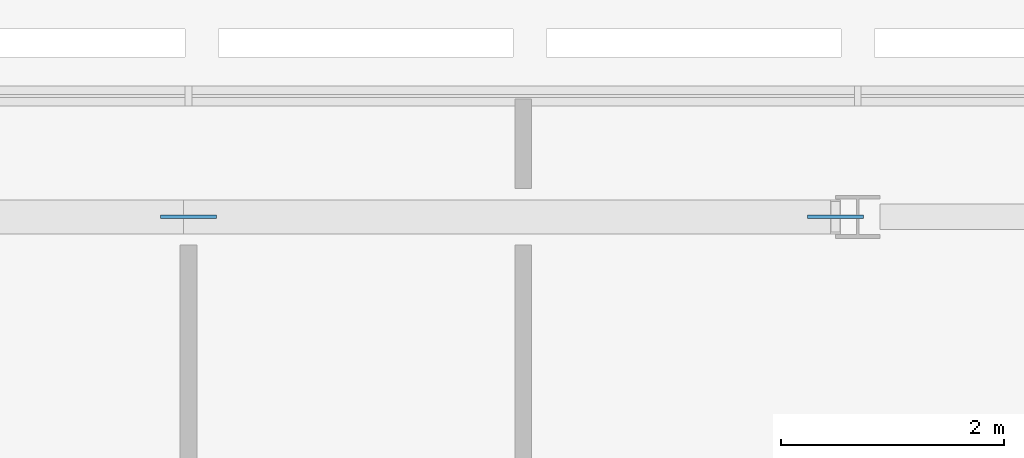
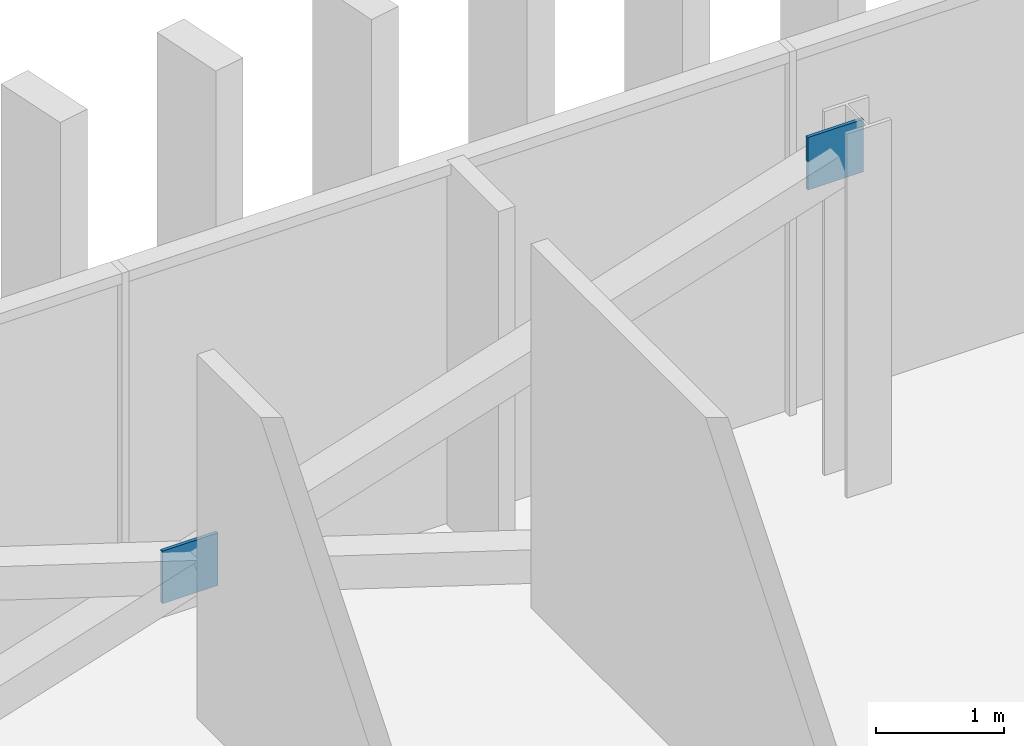
# One storey, part 24 of 32: 2 discrete accessories.
"""IFC4 building model written with IfcOpenShell, lengths in metres."""

import ifcopenshell
import ifcopenshell.guid

model = None  # the IFC model being written
_history = None  # IfcOwnerHistory: only IFC2X3 demands one
_inside = {}  # id of a spatial element -> (the spatial element, [elements in it])
_under = {}  # id of a project, library or spatial element -> (it, [spatial elements below it])
_declared = {}  # id of a project -> (the project, [libraries it declares])
_typed = {}  # id of a type object -> (the type object, [elements of that type])
_made_of = {}  # id of a material, layer set ... -> (it, [elements and type objects made of it])


def new_model(schema):
    """Start an empty IFC model of exactly this schema.

    Asked for "IFC4X3", IfcOpenShell would pick the latest addendum, in which some entities
    have other attributes; the version numbers below select the first issue.
    IFC2X3 requires an IfcOwnerHistory on every rooted entity: one is made here for all.
    """
    global model, _history
    if schema == "IFC4X3":
        model = ifcopenshell.file(schema_version=(4, 3, 0, 0))
    else:
        model = ifcopenshell.file(schema=schema)
    _inside.clear()
    _under.clear()
    _declared.clear()
    _typed.clear()
    _made_of.clear()
    _history = None
    if model.schema == "IFC2X3":
        org = make("IfcOrganization", Name="unknown")
        user = make(
            "IfcPersonAndOrganization",
            ThePerson=make("IfcPerson", FamilyName="unknown"),
            TheOrganization=org,
        )
        app = make(
            "IfcApplication",
            ApplicationDeveloper=org,
            Version="unknown",
            ApplicationFullName="unknown",
            ApplicationIdentifier="unknown",
        )
        _history = make(
            "IfcOwnerHistory",
            OwningUser=user,
            OwningApplication=app,
            ChangeAction="ADDED",
            CreationDate=0,
        )
    return model


def make(cls, **values):
    """One entity of the class cls with the attributes given. An attribute that is None is left unset."""
    return model.create_entity(
        cls, **{name: value for name, value in values.items() if value is not None}
    )


def rooted(cls, **values):
    """An entity with a GlobalId (a new one), such as an element, a storey or a relation."""
    return make(cls, GlobalId=ifcopenshell.guid.new(), OwnerHistory=_history, **values)


def si_unit(unit_type, name, prefix=None):
    """IfcSIUnit, for example si_unit("LENGTHUNIT", "METRE", prefix="MILLI")."""
    return make("IfcSIUnit", UnitType=unit_type, Prefix=prefix, Name=name)


def assignment(units):
    """IfcUnitAssignment: the units of a project."""
    return None if units is None else make("IfcUnitAssignment", Units=units)


def point(xyz):
    """IfcCartesianPoint."""
    return None if xyz is None else make("IfcCartesianPoint", Coordinates=xyz)


def direction(xyz):
    """IfcDirection."""
    return None if xyz is None else make("IfcDirection", DirectionRatios=xyz)


def frame(location, z_axis=None, x_axis=None):
    """IfcAxis2Placement3D, a coordinate frame: its origin and axes. An axis left out is left unset."""
    return make(
        "IfcAxis2Placement3D",
        Location=point(location),
        Axis=direction(z_axis),
        RefDirection=direction(x_axis),
    )


def frame_2d(location, x_axis=None):
    """IfcAxis2Placement2D, a coordinate frame in the plane: its origin and x axis."""
    return make(
        "IfcAxis2Placement2D", Location=point(location), RefDirection=direction(x_axis)
    )


def origin():
    """The frame at (0, 0, 0) with its axes left unset."""
    return frame((0.0, 0.0, 0.0))


def origin_2d():
    """The frame at (0, 0) in the plane with its x axis left unset."""
    return frame_2d((0.0, 0.0))


def place(relative_to, where):
    """IfcLocalPlacement: puts the frame where relative to a parent placement (None: the world)."""
    return make(
        "IfcLocalPlacement", PlacementRelTo=relative_to, RelativePlacement=where
    )


def context(
    kind, dimensions, precision=None, world=None, true_north=None, identifier=None
):
    """IfcGeometricRepresentationContext, for example the 3D "Model" context."""
    return make(
        "IfcGeometricRepresentationContext",
        ContextIdentifier=identifier,
        ContextType=kind,
        CoordinateSpaceDimension=dimensions,
        Precision=precision,
        WorldCoordinateSystem=world,
        TrueNorth=true_north,
    )


def subcontext(parent, identifier, kind, view, scale=None):
    """IfcGeometricRepresentationSubContext, for example "Body" below "Model"."""
    return make(
        "IfcGeometricRepresentationSubContext",
        ContextIdentifier=identifier,
        ContextType=kind,
        ParentContext=parent,
        TargetScale=scale,
        TargetView=view,
    )


def project(units=None, contexts=None):
    """IfcProject with its units and contexts."""
    return rooted(
        "IfcProject",
        Name="project",
        RepresentationContexts=contexts,
        UnitsInContext=assignment(units),
    )


def spatial(cls, under=None, at=None, **own):
    """A site, building, storey or space (cls), placed at a placement, below another one or the project."""
    s = rooted(cls, ObjectPlacement=at, **own)
    if under is not None:
        _under.setdefault(under.id(), (under, []))[1].append(s)
    return s


def profile(cls, at=None, kind="AREA", **sizes):
    """A parametric profile (cls). Its sizes go by their IFC names, for example OverallWidth=200.0."""
    return make(cls, ProfileType=kind, Position=at, **sizes)


def rectangle(**sizes):
    """IfcRectangleProfileDef."""
    return profile("IfcRectangleProfileDef", **sizes)


def extrude(swept, where, along, depth):
    """IfcExtrudedAreaSolid: the profile swept, set in the frame where, extruded along a direction by depth."""
    return make(
        "IfcExtrudedAreaSolid",
        SweptArea=swept,
        Position=where,
        ExtrudedDirection=direction(along),
        Depth=depth,
    )


def shape(context_of_items, identifier, shape_type, items):
    """IfcShapeRepresentation: the items that make up one representation, for example the "Body"."""
    return make(
        "IfcShapeRepresentation",
        ContextOfItems=context_of_items,
        RepresentationIdentifier=identifier,
        RepresentationType=shape_type,
        Items=items,
    )


def material(Name=None, Category=None):
    """IfcMaterial."""
    return make("IfcMaterial", Name=Name, Category=Category)


def layer(
    of_material, thickness, ventilated=None, Name=None, Category=None, Priority=None
):
    """IfcMaterialLayer: one layer of a wall or slab, of a material (None: an air gap)."""
    return make(
        "IfcMaterialLayer",
        Material=of_material,
        LayerThickness=thickness,
        IsVentilated=ventilated,
        Name=Name,
        Category=Category,
        Priority=Priority,
    )


def layer_set(layers, Name=None):
    """IfcMaterialLayerSet."""
    return make("IfcMaterialLayerSet", MaterialLayers=layers, LayerSetName=Name)


def made_of(thing, what):
    """Note that an element or type object is made of a material, layer set ...; save() writes the relation."""
    if what is not None:
        _made_of.setdefault(what.id(), (what, []))[1].append(thing)
    return thing


def type_object(cls, material=None, **own):
    """A type object (cls), such as IfcWallType, which elements share."""
    return made_of(rooted(cls, **own), material)


def element(
    cls,
    number,
    at=None,
    inside=None,
    cuts=None,
    type_object=None,
    material=None,
    context=None,
    identifier="Body",
    shape_type=None,
    held_by="IfcProductDefinitionShape",
    body=None,
    shapes=None,
    **own,
):
    """One element of the class cls, such as IfcWall. Its Tag is "e" and its number.

    at: its placement. inside: the storey or other place that contains it. cuts: it is an
    opening in that element (IfcRelVoidsElement). A single representation is given by context,
    identifier, shape_type and body (its items); several are given by shapes. held_by: the class
    of the entity that holds the representations. save() writes the other relations.
    """
    e = rooted(cls, Tag="e%d" % number, ObjectPlacement=at, **own)
    if body is not None:
        shapes = [shape(context, identifier, shape_type, body)]
    if shapes is not None:
        e.Representation = make(held_by, Representations=shapes)
    if inside is not None:
        _inside.setdefault(inside.id(), (inside, []))[1].append(e)
    if cuts is not None:
        rooted(
            "IfcRelVoidsElement", RelatingBuildingElement=cuts, RelatedOpeningElement=e
        )
    if type_object is not None:
        _typed.setdefault(type_object.id(), (type_object, []))[1].append(e)
    return made_of(e, material)


def aggregate(whole, parts):
    """IfcRelAggregates: a whole, such as a stair, and the parts it consists of."""
    return rooted("IfcRelAggregates", RelatingObject=whole, RelatedObjects=parts)


def save(model, path):
    """Write the relations noted so far, then the file.

    IfcRelAggregates (storeys below a building ...), IfcRelContainedInSpatialStructure (elements
    in a storey), IfcRelDefinesByType, IfcRelAssociatesMaterial and IfcRelDeclares: one each for
    every whole, place, type object, material and project.
    """
    for whole, parts in _under.values():
        aggregate(whole, parts)
    for where, things in _inside.values():
        rooted(
            "IfcRelContainedInSpatialStructure",
            RelatedElements=things,
            RelatingStructure=where,
        )
    for kind, things in _typed.values():
        rooted("IfcRelDefinesByType", RelatedObjects=things, RelatingType=kind)
    for what, things in _made_of.values():
        rooted("IfcRelAssociatesMaterial", RelatedObjects=things, RelatingMaterial=what)
    for by, libraries in _declared.values():
        rooted("IfcRelDeclares", RelatingContext=by, RelatedDefinitions=libraries)
    model.write(path)


model = new_model("IFC4")

# Units and contexts
model_context = context("Model", 3, precision=1e-05, world=origin(), true_north=direction((0.0, 1.0)))
body_context = subcontext(model_context, "Body", "Model", "MODEL_VIEW")
ifc_project = project(units=[si_unit("LENGTHUNIT", "METRE"), si_unit("AREAUNIT", "SQUARE_METRE"), si_unit("VOLUMEUNIT", "CUBIC_METRE"), si_unit("PLANEANGLEUNIT", "RADIAN"), si_unit("MASSUNIT", "GRAM", prefix="KILO")], contexts=[model_context])

# Site, building, storey
site_placement = place(None, origin())
site = spatial("IfcSite", under=ifc_project, at=site_placement, CompositionType="ELEMENT")
building_placement = place(site_placement, origin())
building = spatial("IfcBuilding", under=site, at=building_placement, Name="Mahtab Terrace Research Tower", CompositionType="ELEMENT")
storey_placement = place(building_placement, frame((0.0, 0.0, 243.800048828125)))
storey = spatial("IfcBuildingStorey", under=building, at=storey_placement, Name="L59", CompositionType="ELEMENT", Elevation=243.800048828125)

# Discrete accessories
ifc_material = material(Name="Steel ASTM A992 Gr 50", Category="steel")
ifc_layer = layer(ifc_material, 0.030029296875)
ifc_layer_set = layer_set([ifc_layer], Name="Gusset plate 500x500x30")
discrete_accessory_type = type_object("IfcDiscreteAccessoryType", Name="Gusset plate 500x500x30", PredefinedType="USERDEFINED", material=ifc_layer_set)
for number, where, z_axis, x_axis, name in (
    (1, (0.0, 26.472900390625, 1.00634765625), (0.0, 0.0, 1.0), (1.0, 0.0, 0.0), "Gusset plate"),
    (2, (5.800537109375, 26.472900390625, 2.90625), (0.0, 0.0, 1.0), (1.0, 0.0, 0.0), "Gusset plate"),
):
    element("IfcDiscreteAccessory", number, at=place(storey_placement, frame(where, z_axis=z_axis, x_axis=x_axis)), inside=storey, type_object=discrete_accessory_type, Name=name, ObjectType="GUSSET PLATE", PredefinedType="USERDEFINED", context=body_context, shape_type="SweptSolid", body=[
        extrude(rectangle(XDim=0.5, YDim=0.030029296875, at=origin_2d()), origin(), (0.0, 0.0, 1.0), 0.5),
    ])

save(model, "model.ifc")
